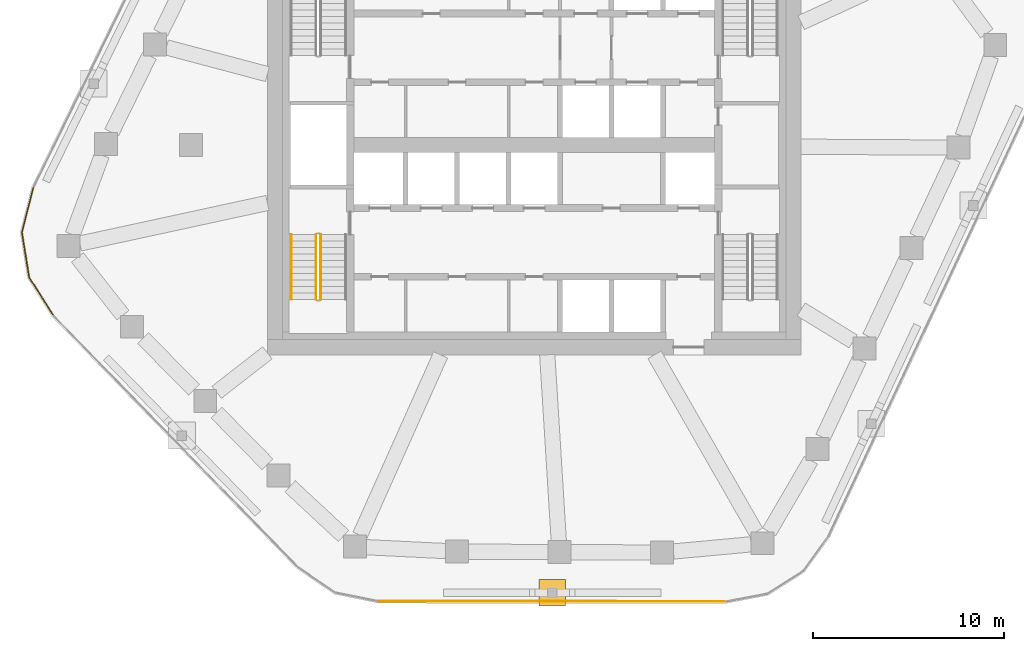
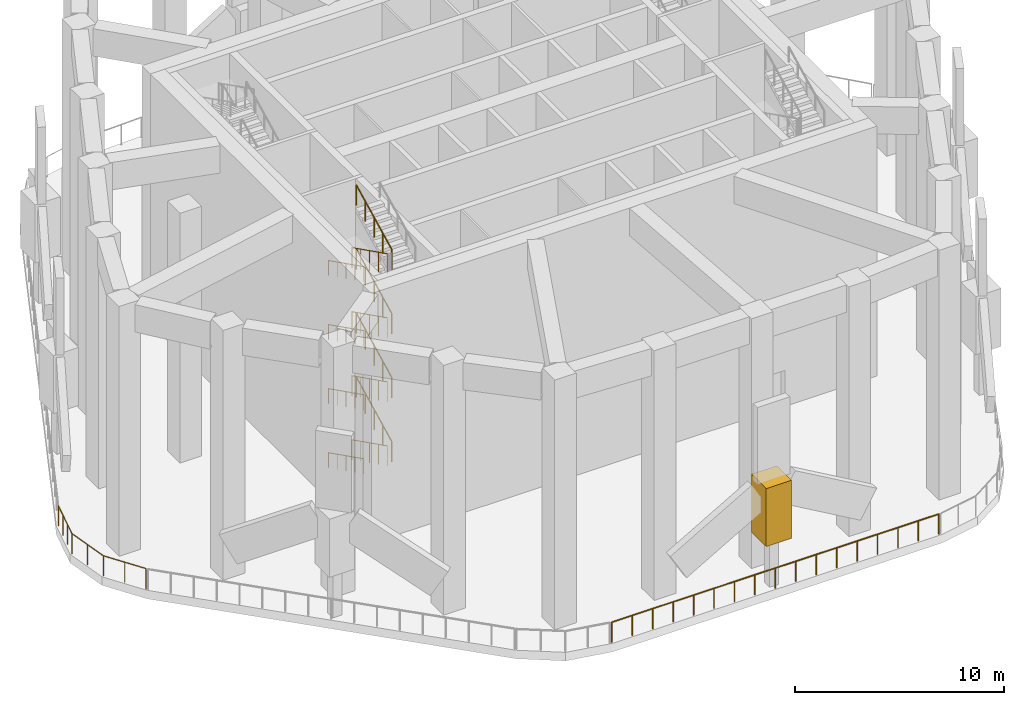
# One storey, part 7 of 12: 14 railings, 1 covering.
"""IFC4 building model written with IfcOpenShell, lengths in metres."""

import ifcopenshell
import ifcopenshell.guid

model = None  # the IFC model being written
_history = None  # IfcOwnerHistory: only IFC2X3 demands one
_inside = {}  # id of a spatial element -> (the spatial element, [elements in it])
_under = {}  # id of a project, library or spatial element -> (it, [spatial elements below it])
_declared = {}  # id of a project -> (the project, [libraries it declares])
_typed = {}  # id of a type object -> (the type object, [elements of that type])
_made_of = {}  # id of a material, layer set ... -> (it, [elements and type objects made of it])


def new_model(schema):
    """Start an empty IFC model of exactly this schema.

    Asked for "IFC4X3", IfcOpenShell would pick the latest addendum, in which some entities
    have other attributes; the version numbers below select the first issue.
    IFC2X3 requires an IfcOwnerHistory on every rooted entity: one is made here for all.
    """
    global model, _history
    if schema == "IFC4X3":
        model = ifcopenshell.file(schema_version=(4, 3, 0, 0))
    else:
        model = ifcopenshell.file(schema=schema)
    _inside.clear()
    _under.clear()
    _declared.clear()
    _typed.clear()
    _made_of.clear()
    _history = None
    if model.schema == "IFC2X3":
        org = make("IfcOrganization", Name="unknown")
        user = make(
            "IfcPersonAndOrganization",
            ThePerson=make("IfcPerson", FamilyName="unknown"),
            TheOrganization=org,
        )
        app = make(
            "IfcApplication",
            ApplicationDeveloper=org,
            Version="unknown",
            ApplicationFullName="unknown",
            ApplicationIdentifier="unknown",
        )
        _history = make(
            "IfcOwnerHistory",
            OwningUser=user,
            OwningApplication=app,
            ChangeAction="ADDED",
            CreationDate=0,
        )
    return model


def make(cls, **values):
    """One entity of the class cls with the attributes given. An attribute that is None is left unset."""
    return model.create_entity(
        cls, **{name: value for name, value in values.items() if value is not None}
    )


def rooted(cls, **values):
    """An entity with a GlobalId (a new one), such as an element, a storey or a relation."""
    return make(cls, GlobalId=ifcopenshell.guid.new(), OwnerHistory=_history, **values)


def si_unit(unit_type, name, prefix=None):
    """IfcSIUnit, for example si_unit("LENGTHUNIT", "METRE", prefix="MILLI")."""
    return make("IfcSIUnit", UnitType=unit_type, Prefix=prefix, Name=name)


def assignment(units):
    """IfcUnitAssignment: the units of a project."""
    return None if units is None else make("IfcUnitAssignment", Units=units)


def point(xyz):
    """IfcCartesianPoint."""
    return None if xyz is None else make("IfcCartesianPoint", Coordinates=xyz)


def direction(xyz):
    """IfcDirection."""
    return None if xyz is None else make("IfcDirection", DirectionRatios=xyz)


def frame(location, z_axis=None, x_axis=None):
    """IfcAxis2Placement3D, a coordinate frame: its origin and axes. An axis left out is left unset."""
    return make(
        "IfcAxis2Placement3D",
        Location=point(location),
        Axis=direction(z_axis),
        RefDirection=direction(x_axis),
    )


def frame_2d(location, x_axis=None):
    """IfcAxis2Placement2D, a coordinate frame in the plane: its origin and x axis."""
    return make(
        "IfcAxis2Placement2D", Location=point(location), RefDirection=direction(x_axis)
    )


def origin():
    """The frame at (0, 0, 0) with its axes left unset."""
    return frame((0.0, 0.0, 0.0))


def origin_2d():
    """The frame at (0, 0) in the plane with its x axis left unset."""
    return frame_2d((0.0, 0.0))


def place(relative_to, where):
    """IfcLocalPlacement: puts the frame where relative to a parent placement (None: the world)."""
    return make(
        "IfcLocalPlacement", PlacementRelTo=relative_to, RelativePlacement=where
    )


def context(
    kind, dimensions, precision=None, world=None, true_north=None, identifier=None
):
    """IfcGeometricRepresentationContext, for example the 3D "Model" context."""
    return make(
        "IfcGeometricRepresentationContext",
        ContextIdentifier=identifier,
        ContextType=kind,
        CoordinateSpaceDimension=dimensions,
        Precision=precision,
        WorldCoordinateSystem=world,
        TrueNorth=true_north,
    )


def subcontext(parent, identifier, kind, view, scale=None):
    """IfcGeometricRepresentationSubContext, for example "Body" below "Model"."""
    return make(
        "IfcGeometricRepresentationSubContext",
        ContextIdentifier=identifier,
        ContextType=kind,
        ParentContext=parent,
        TargetScale=scale,
        TargetView=view,
    )


def project(units=None, contexts=None):
    """IfcProject with its units and contexts."""
    return rooted(
        "IfcProject",
        Name="project",
        RepresentationContexts=contexts,
        UnitsInContext=assignment(units),
    )


def spatial(cls, under=None, at=None, **own):
    """A site, building, storey or space (cls), placed at a placement, below another one or the project."""
    s = rooted(cls, ObjectPlacement=at, **own)
    if under is not None:
        _under.setdefault(under.id(), (under, []))[1].append(s)
    return s


def profile(cls, at=None, kind="AREA", **sizes):
    """A parametric profile (cls). Its sizes go by their IFC names, for example OverallWidth=200.0."""
    return make(cls, ProfileType=kind, Position=at, **sizes)


def rectangle(**sizes):
    """IfcRectangleProfileDef."""
    return profile("IfcRectangleProfileDef", **sizes)


def circle(**sizes):
    """IfcCircleProfileDef."""
    return profile("IfcCircleProfileDef", **sizes)


def extrude(swept, where, along, depth):
    """IfcExtrudedAreaSolid: the profile swept, set in the frame where, extruded along a direction by depth."""
    return make(
        "IfcExtrudedAreaSolid",
        SweptArea=swept,
        Position=where,
        ExtrudedDirection=direction(along),
        Depth=depth,
    )


def shape(context_of_items, identifier, shape_type, items):
    """IfcShapeRepresentation: the items that make up one representation, for example the "Body"."""
    return make(
        "IfcShapeRepresentation",
        ContextOfItems=context_of_items,
        RepresentationIdentifier=identifier,
        RepresentationType=shape_type,
        Items=items,
    )


def material(Name=None, Category=None):
    """IfcMaterial."""
    return make("IfcMaterial", Name=Name, Category=Category)


def material_profile(
    of_material, cross_section, Name=None, Category=None, Priority=None
):
    """IfcMaterialProfile: a cross section and its material."""
    return make(
        "IfcMaterialProfile",
        Name=Name,
        Material=of_material,
        Profile=cross_section,
        Priority=Priority,
        Category=Category,
    )


def profile_set(profiles, Name=None, composite=None):
    """IfcMaterialProfileSet."""
    return make(
        "IfcMaterialProfileSet",
        Name=Name,
        MaterialProfiles=profiles,
        CompositeProfile=composite,
    )


def made_of(thing, what):
    """Note that an element or type object is made of a material, layer set ...; save() writes the relation."""
    if what is not None:
        _made_of.setdefault(what.id(), (what, []))[1].append(thing)
    return thing


def type_object(cls, material=None, **own):
    """A type object (cls), such as IfcWallType, which elements share."""
    return made_of(rooted(cls, **own), material)


def element(
    cls,
    number,
    at=None,
    inside=None,
    cuts=None,
    type_object=None,
    material=None,
    context=None,
    identifier="Body",
    shape_type=None,
    held_by="IfcProductDefinitionShape",
    body=None,
    shapes=None,
    **own,
):
    """One element of the class cls, such as IfcWall. Its Tag is "e" and its number.

    at: its placement. inside: the storey or other place that contains it. cuts: it is an
    opening in that element (IfcRelVoidsElement). A single representation is given by context,
    identifier, shape_type and body (its items); several are given by shapes. held_by: the class
    of the entity that holds the representations. save() writes the other relations.
    """
    e = rooted(cls, Tag="e%d" % number, ObjectPlacement=at, **own)
    if body is not None:
        shapes = [shape(context, identifier, shape_type, body)]
    if shapes is not None:
        e.Representation = make(held_by, Representations=shapes)
    if inside is not None:
        _inside.setdefault(inside.id(), (inside, []))[1].append(e)
    if cuts is not None:
        rooted(
            "IfcRelVoidsElement", RelatingBuildingElement=cuts, RelatedOpeningElement=e
        )
    if type_object is not None:
        _typed.setdefault(type_object.id(), (type_object, []))[1].append(e)
    return made_of(e, material)


def aggregate(whole, parts):
    """IfcRelAggregates: a whole, such as a stair, and the parts it consists of."""
    return rooted("IfcRelAggregates", RelatingObject=whole, RelatedObjects=parts)


def save(model, path):
    """Write the relations noted so far, then the file.

    IfcRelAggregates (storeys below a building ...), IfcRelContainedInSpatialStructure (elements
    in a storey), IfcRelDefinesByType, IfcRelAssociatesMaterial and IfcRelDeclares: one each for
    every whole, place, type object, material and project.
    """
    for whole, parts in _under.values():
        aggregate(whole, parts)
    for where, things in _inside.values():
        rooted(
            "IfcRelContainedInSpatialStructure",
            RelatedElements=things,
            RelatingStructure=where,
        )
    for kind, things in _typed.values():
        rooted("IfcRelDefinesByType", RelatedObjects=things, RelatingType=kind)
    for what, things in _made_of.values():
        rooted("IfcRelAssociatesMaterial", RelatedObjects=things, RelatingMaterial=what)
    for by, libraries in _declared.values():
        rooted("IfcRelDeclares", RelatingContext=by, RelatedDefinitions=libraries)
    model.write(path)


model = new_model("IFC4")

# Units and contexts
model_context = context("Model", 3, precision=1e-05, world=origin(), true_north=direction((0.0, 1.0)))
body_context = subcontext(model_context, "Body", "Model", "MODEL_VIEW")
ifc_project = project(units=[si_unit("LENGTHUNIT", "METRE"), si_unit("AREAUNIT", "SQUARE_METRE"), si_unit("VOLUMEUNIT", "CUBIC_METRE"), si_unit("PLANEANGLEUNIT", "RADIAN"), si_unit("MASSUNIT", "GRAM", prefix="KILO")], contexts=[model_context])

# Site, building, storey
site_placement = place(None, origin())
site = spatial("IfcSite", under=ifc_project, at=site_placement, CompositionType="ELEMENT")
building_placement = place(site_placement, origin())
building = spatial("IfcBuilding", under=site, at=building_placement, Name="Dongbaek Canopy Tower", CompositionType="ELEMENT")
storey_placement = place(building_placement, frame((0.0, 0.0, 183.800048828125)))
storey = spatial("IfcBuildingStorey", under=building, at=storey_placement, Name="L40", CompositionType="ELEMENT", Elevation=183.800048828125)

# Railings
ifc_material_1 = material(Name="Stainless steel", Category="steel")
railing_type_1 = type_object("IfcRailingType", Name="Slot guard 1200", PredefinedType="GUARDRAIL", material=ifc_material_1)
railing_1_placement = place(storey_placement, frame((-26.279541015625, -2.2431640625, 0.0)))
element("IfcRailing", 1, at=railing_1_placement, inside=storey, type_object=railing_type_1, Name="Slot guard L40 K3", PredefinedType="GUARDRAIL", context=body_context, shape_type="SweptSolid", body=[
    extrude(circle(Radius=0.02392578125, at=origin_2d()), frame((0.0, 0.0, 1.17578125), z_axis=(-0.247717968941, -0.968832187669, 0.0), x_axis=(0.968832187669, -0.247717968941, 0.0)), (0.0, 0.0, 1.0), 2.40380859375),
    extrude(circle(Radius=0.02392578125, at=origin_2d()), frame((-0.595458984375, -2.328857421875, 1.17578125), z_axis=(0.157696102651, -0.987487690662, 0.0), x_axis=(0.987487690662, 0.157696102651, 0.0)), (0.0, 0.0, 1.0), 2.3935546875),
    extrude(circle(Radius=0.02392578125, at=origin_2d()), frame((-0.218017578125, -4.6923828125, 1.17578125), z_axis=(0.53719088826, -0.843460698296, 0.0), x_axis=(0.843460698296, 0.53719088826, 0.0)), (0.0, 0.0, 1.0), 2.3037109375),
    extrude(circle(Radius=0.02099609375, at=origin_2d()), origin(), (0.0, 0.0, 1.0), 1.15185546875),
    extrude(circle(Radius=0.02099609375, at=origin_2d()), frame((-0.198486328125, -0.7763671875, 0.0)), (0.0, 0.0, 1.0), 1.15185546875),
    extrude(circle(Radius=0.02099609375, at=origin_2d()), frame((-0.39697265625, -1.552490234375, 0.0)), (0.0, 0.0, 1.0), 1.15185546875),
    extrude(circle(Radius=0.02099609375, at=origin_2d()), frame((-0.595458984375, -2.328857421875, 0.0)), (0.0, 0.0, 1.0), 1.15185546875),
    extrude(circle(Radius=0.02099609375, at=origin_2d()), frame((-0.40673828125, -3.5107421875, 0.0)), (0.0, 0.0, 1.0), 1.15185546875),
    extrude(circle(Radius=0.02099609375, at=origin_2d()), frame((-0.218017578125, -4.6923828125, 0.0)), (0.0, 0.0, 1.0), 1.15185546875),
    extrude(circle(Radius=0.02099609375, at=origin_2d()), frame((0.40087890625, -5.6640625, 0.0)), (0.0, 0.0, 1.0), 1.15185546875),
    extrude(circle(Radius=0.02099609375, at=origin_2d()), frame((1.01953125, -6.635498046875, 0.0)), (0.0, 0.0, 1.0), 1.15185546875),
])
railing_2_placement = place(storey_placement, frame((-8.1552734375, -23.93017578125, 0.0)))
element("IfcRailing", 2, at=railing_2_placement, inside=storey, type_object=railing_type_1, Name="Slot guard L40 F4", PredefinedType="GUARDRAIL", context=body_context, shape_type="SweptSolid", body=[
    extrude(circle(Radius=0.02392578125, at=origin_2d()), frame((0.0, 0.0, 1.17578125), z_axis=(0.999999831873, -0.000579874218, 0.0), x_axis=(0.000579874218, 0.999999831873, 0.0)), (0.0, 0.0, 1.0), 18.10400390625),
    extrude(circle(Radius=0.02099609375, at=origin_2d()), origin(), (0.0, 0.0, 1.0), 1.15185546875),
    extrude(circle(Radius=0.02099609375, at=origin_2d()), frame((1.131591796875, -0.000732421875, 0.0)), (0.0, 0.0, 1.0), 1.15185546875),
    extrude(circle(Radius=0.02099609375, at=origin_2d()), frame((2.262939453125, -0.001220703125, 0.0)), (0.0, 0.0, 1.0), 1.15185546875),
    extrude(circle(Radius=0.02099609375, at=origin_2d()), frame((3.39453125, -0.001953125, 0.0)), (0.0, 0.0, 1.0), 1.15185546875),
    extrude(circle(Radius=0.02099609375, at=origin_2d()), frame((4.52587890625, -0.002685546875, 0.0)), (0.0, 0.0, 1.0), 1.15185546875),
    extrude(circle(Radius=0.02099609375, at=origin_2d()), frame((5.657470703125, -0.003173828125, 0.0)), (0.0, 0.0, 1.0), 1.15185546875),
    extrude(circle(Radius=0.02099609375, at=origin_2d()), frame((6.7890625, -0.00390625, 0.0)), (0.0, 0.0, 1.0), 1.15185546875),
    extrude(circle(Radius=0.02099609375, at=origin_2d()), frame((7.92041015625, -0.004638671875, 0.0)), (0.0, 0.0, 1.0), 1.15185546875),
    extrude(circle(Radius=0.02099609375, at=origin_2d()), frame((9.052001953125, -0.00537109375, 0.0)), (0.0, 0.0, 1.0), 1.15185546875),
    extrude(circle(Radius=0.02099609375, at=origin_2d()), frame((10.18359375, -0.005859375, 0.0)), (0.0, 0.0, 1.0), 1.15185546875),
    extrude(circle(Radius=0.02099609375, at=origin_2d()), frame((11.31494140625, -0.006591796875, 0.0)), (0.0, 0.0, 1.0), 1.15185546875),
    extrude(circle(Radius=0.02099609375, at=origin_2d()), frame((12.446533203125, -0.00732421875, 0.0)), (0.0, 0.0, 1.0), 1.15185546875),
    extrude(circle(Radius=0.02099609375, at=origin_2d()), frame((13.578125, -0.0078125, 0.0)), (0.0, 0.0, 1.0), 1.15185546875),
    extrude(circle(Radius=0.02099609375, at=origin_2d()), frame((14.70947265625, -0.008544921875, 0.0)), (0.0, 0.0, 1.0), 1.15185546875),
    extrude(circle(Radius=0.02099609375, at=origin_2d()), frame((15.841064453125, -0.00927734375, 0.0)), (0.0, 0.0, 1.0), 1.15185546875),
    extrude(circle(Radius=0.02099609375, at=origin_2d()), frame((16.972412109375, -0.009765625, 0.0)), (0.0, 0.0, 1.0), 1.15185546875),
    extrude(circle(Radius=0.02099609375, at=origin_2d()), frame((18.10400390625, -0.010498046875, 0.0)), (0.0, 0.0, 1.0), 1.15185546875),
])
ifc_material_2 = material(Name="Stainless steel tube and balusters", Category="steel")
railing_type_2 = type_object("IfcRailingType", Name="Stair guard 1200", PredefinedType="GUARDRAIL", material=ifc_material_2)
railing_3_placement = place(storey_placement, frame((-11.449951171875, -4.699951171875, 0.17041015625)))
element("IfcRailing", 3, at=railing_3_placement, inside=storey, type_object=railing_type_2, Name="L40 ST-D stair guard 1", PredefinedType="GUARDRAIL", context=body_context, shape_type="SweptSolid", body=[
    extrude(circle(Radius=0.02392578125, at=origin_2d()), frame((0.0, 0.0, 1.17578125), z_axis=(0.0, -0.893951692422, 0.448163331406), x_axis=(1.0, 0.0, 0.0)), (0.0, 0.0, 1.0), 3.803466796875),
    extrude(circle(Radius=0.02099609375, at=origin_2d()), origin(), (0.0, 0.0, 1.0), 1.15185546875),
    extrude(circle(Radius=0.02099609375, at=origin_2d()), frame((0.0, -0.85009765625, 0.42626953125)), (0.0, 0.0, 1.0), 1.15185546875),
    extrude(circle(Radius=0.02099609375, at=origin_2d()), frame((0.0, -1.7001953125, 0.852294921875)), (0.0, 0.0, 1.0), 1.15185546875),
    extrude(circle(Radius=0.02099609375, at=origin_2d()), frame((0.0, -2.550048828125, 1.2783203125)), (0.0, 0.0, 1.0), 1.15185546875),
    extrude(circle(Radius=0.02099609375, at=origin_2d()), frame((0.0, -3.400146484375, 1.70458984375)), (0.0, 0.0, 1.0), 1.15185546875),
])
railing_4_placement = place(storey_placement, frame((-11.199951171875, -8.10009765625, 2.04541015625)))
element("IfcRailing", 4, at=railing_4_placement, inside=storey, type_object=railing_type_2, Name="L40 ST-D stair guard 3", PredefinedType="GUARDRAIL", context=body_context, shape_type="SweptSolid", body=[
    extrude(circle(Radius=0.02392578125, at=origin_2d()), frame((0.0, 0.0, 1.17578125), z_axis=(0.0, 0.893951692422, 0.448163331406), x_axis=(-1.0, 0.0, 0.0)), (0.0, 0.0, 1.0), 3.803466796875),
    extrude(circle(Radius=0.02099609375, at=origin_2d()), origin(), (0.0, 0.0, 1.0), 1.15185546875),
    extrude(circle(Radius=0.02099609375, at=origin_2d()), frame((0.0, 0.85009765625, 0.42626953125)), (0.0, 0.0, 1.0), 1.15185546875),
    extrude(circle(Radius=0.02099609375, at=origin_2d()), frame((0.0, 1.7001953125, 0.852294921875)), (0.0, 0.0, 1.0), 1.15185546875),
    extrude(circle(Radius=0.02099609375, at=origin_2d()), frame((0.0, 2.550048828125, 1.2783203125)), (0.0, 0.0, 1.0), 1.15185546875),
    extrude(circle(Radius=0.02099609375, at=origin_2d()), frame((0.0, 3.400146484375, 1.70458984375)), (0.0, 0.0, 1.0), 1.15185546875),
])
railing_5_placement = place(storey_placement, frame((-11.449951171875, -4.699951171875, 3.92041015625)))
element("IfcRailing", 5, at=railing_5_placement, inside=storey, type_object=railing_type_2, Name="L40 ST-D stair guard 5", PredefinedType="GUARDRAIL", context=body_context, shape_type="SweptSolid", body=[
    extrude(circle(Radius=0.02392578125, at=origin_2d()), frame((0.0, 0.0, 1.17578125), z_axis=(0.0, -0.893951692422, 0.448163331406), x_axis=(1.0, 0.0, 0.0)), (0.0, 0.0, 1.0), 3.803466796875),
    extrude(circle(Radius=0.02099609375, at=origin_2d()), origin(), (0.0, 0.0, 1.0), 1.15185546875),
    extrude(circle(Radius=0.02099609375, at=origin_2d()), frame((0.0, -0.85009765625, 0.42626953125)), (0.0, 0.0, 1.0), 1.15185546875),
    extrude(circle(Radius=0.02099609375, at=origin_2d()), frame((0.0, -1.7001953125, 0.852294921875)), (0.0, 0.0, 1.0), 1.15185546875),
    extrude(circle(Radius=0.02099609375, at=origin_2d()), frame((0.0, -2.550048828125, 1.2783203125)), (0.0, 0.0, 1.0), 1.15185546875),
    extrude(circle(Radius=0.02099609375, at=origin_2d()), frame((0.0, -3.400146484375, 1.70458984375)), (0.0, 0.0, 1.0), 1.15185546875),
])
railing_6_placement = place(storey_placement, frame((-11.199951171875, -8.10009765625, 5.79541015625)))
element("IfcRailing", 6, at=railing_6_placement, inside=storey, type_object=railing_type_2, Name="L40 ST-D stair guard 7", PredefinedType="GUARDRAIL", context=body_context, shape_type="SweptSolid", body=[
    extrude(circle(Radius=0.02392578125, at=origin_2d()), frame((0.0, 0.0, 1.17578125), z_axis=(0.0, 0.893951692422, 0.448163331406), x_axis=(-1.0, 0.0, 0.0)), (0.0, 0.0, 1.0), 3.803466796875),
    extrude(circle(Radius=0.02099609375, at=origin_2d()), origin(), (0.0, 0.0, 1.0), 1.15185546875),
    extrude(circle(Radius=0.02099609375, at=origin_2d()), frame((0.0, 0.85009765625, 0.42626953125)), (0.0, 0.0, 1.0), 1.15185546875),
    extrude(circle(Radius=0.02099609375, at=origin_2d()), frame((0.0, 1.7001953125, 0.852294921875)), (0.0, 0.0, 1.0), 1.15185546875),
    extrude(circle(Radius=0.02099609375, at=origin_2d()), frame((0.0, 2.550048828125, 1.2783203125)), (0.0, 0.0, 1.0), 1.15185546875),
    extrude(circle(Radius=0.02099609375, at=origin_2d()), frame((0.0, 3.400146484375, 1.70458984375)), (0.0, 0.0, 1.0), 1.15185546875),
])
railing_7_placement = place(storey_placement, frame((-11.449951171875, -4.699951171875, 7.67041015625)))
element("IfcRailing", 7, at=railing_7_placement, inside=storey, type_object=railing_type_2, Name="L40 ST-D stair guard 9", PredefinedType="GUARDRAIL", context=body_context, shape_type="SweptSolid", body=[
    extrude(circle(Radius=0.02392578125, at=origin_2d()), frame((0.0, 0.0, 1.17578125), z_axis=(0.0, -0.893951692422, 0.448163331406), x_axis=(1.0, 0.0, 0.0)), (0.0, 0.0, 1.0), 3.803466796875),
    extrude(circle(Radius=0.02099609375, at=origin_2d()), origin(), (0.0, 0.0, 1.0), 1.15185546875),
    extrude(circle(Radius=0.02099609375, at=origin_2d()), frame((0.0, -0.85009765625, 0.42626953125)), (0.0, 0.0, 1.0), 1.15185546875),
    extrude(circle(Radius=0.02099609375, at=origin_2d()), frame((0.0, -1.7001953125, 0.852294921875)), (0.0, 0.0, 1.0), 1.15185546875),
    extrude(circle(Radius=0.02099609375, at=origin_2d()), frame((0.0, -2.550048828125, 1.2783203125)), (0.0, 0.0, 1.0), 1.15185546875),
    extrude(circle(Radius=0.02099609375, at=origin_2d()), frame((0.0, -3.400146484375, 1.70458984375)), (0.0, 0.0, 1.0), 1.15185546875),
])
railing_8_placement = place(storey_placement, frame((-11.199951171875, -8.10009765625, 9.54541015625)))
element("IfcRailing", 8, at=railing_8_placement, inside=storey, type_object=railing_type_2, Name="L40 ST-D stair guard 11", PredefinedType="GUARDRAIL", context=body_context, shape_type="SweptSolid", body=[
    extrude(circle(Radius=0.02392578125, at=origin_2d()), frame((0.0, 0.0, 1.17578125), z_axis=(0.0, 0.893951692422, 0.448163331406), x_axis=(-1.0, 0.0, 0.0)), (0.0, 0.0, 1.0), 3.803466796875),
    extrude(circle(Radius=0.02099609375, at=origin_2d()), origin(), (0.0, 0.0, 1.0), 1.15185546875),
    extrude(circle(Radius=0.02099609375, at=origin_2d()), frame((0.0, 0.85009765625, 0.42626953125)), (0.0, 0.0, 1.0), 1.15185546875),
    extrude(circle(Radius=0.02099609375, at=origin_2d()), frame((0.0, 1.7001953125, 0.852294921875)), (0.0, 0.0, 1.0), 1.15185546875),
    extrude(circle(Radius=0.02099609375, at=origin_2d()), frame((0.0, 2.550048828125, 1.2783203125)), (0.0, 0.0, 1.0), 1.15185546875),
    extrude(circle(Radius=0.02099609375, at=origin_2d()), frame((0.0, 3.400146484375, 1.70458984375)), (0.0, 0.0, 1.0), 1.15185546875),
])
railing_9_placement = place(storey_placement, frame((-11.449951171875, -4.699951171875, 11.42041015625)))
element("IfcRailing", 9, at=railing_9_placement, inside=storey, type_object=railing_type_2, Name="L40 ST-D stair guard 13", PredefinedType="GUARDRAIL", context=body_context, shape_type="SweptSolid", body=[
    extrude(circle(Radius=0.02392578125, at=origin_2d()), frame((0.0, 0.0, 1.17578125), z_axis=(0.0, -0.893951692422, 0.448163331406), x_axis=(1.0, 0.0, 0.0)), (0.0, 0.0, 1.0), 3.803466796875),
    extrude(circle(Radius=0.02099609375, at=origin_2d()), origin(), (0.0, 0.0, 1.0), 1.15185546875),
    extrude(circle(Radius=0.02099609375, at=origin_2d()), frame((0.0, -0.85009765625, 0.42626953125)), (0.0, 0.0, 1.0), 1.15185546875),
    extrude(circle(Radius=0.02099609375, at=origin_2d()), frame((0.0, -1.7001953125, 0.852294921875)), (0.0, 0.0, 1.0), 1.15185546875),
    extrude(circle(Radius=0.02099609375, at=origin_2d()), frame((0.0, -2.550048828125, 1.2783203125)), (0.0, 0.0, 1.0), 1.15185546875),
    extrude(circle(Radius=0.02099609375, at=origin_2d()), frame((0.0, -3.400146484375, 1.70458984375)), (0.0, 0.0, 1.0), 1.15185546875),
])
railing_10_placement = place(storey_placement, frame((-11.199951171875, -8.10009765625, 13.29541015625)))
element("IfcRailing", 10, at=railing_10_placement, inside=storey, type_object=railing_type_2, Name="L40 ST-D stair guard 15", PredefinedType="GUARDRAIL", context=body_context, shape_type="SweptSolid", body=[
    extrude(circle(Radius=0.02392578125, at=origin_2d()), frame((0.0, 0.0, 1.17578125), z_axis=(0.0, 0.893951692422, 0.448163331406), x_axis=(-1.0, 0.0, 0.0)), (0.0, 0.0, 1.0), 3.803466796875),
    extrude(circle(Radius=0.02099609375, at=origin_2d()), origin(), (0.0, 0.0, 1.0), 1.15185546875),
    extrude(circle(Radius=0.02099609375, at=origin_2d()), frame((0.0, 0.85009765625, 0.42626953125)), (0.0, 0.0, 1.0), 1.15185546875),
    extrude(circle(Radius=0.02099609375, at=origin_2d()), frame((0.0, 1.7001953125, 0.852294921875)), (0.0, 0.0, 1.0), 1.15185546875),
    extrude(circle(Radius=0.02099609375, at=origin_2d()), frame((0.0, 2.550048828125, 1.2783203125)), (0.0, 0.0, 1.0), 1.15185546875),
    extrude(circle(Radius=0.02099609375, at=origin_2d()), frame((0.0, 3.400146484375, 1.70458984375)), (0.0, 0.0, 1.0), 1.15185546875),
])
ifc_material_3 = material(Name="Stainless steel tube", Category="steel")
railing_type_3 = type_object("IfcRailingType", Name="Stair handrail 900", PredefinedType="HANDRAIL", material=ifc_material_3)
for number, where, name in (
    (11, (-12.75, -4.699951171875, 0.17041015625), "L40 ST-D stair handrail 1"),
    (12, (-12.75, -4.699951171875, 3.92041015625), "L40 ST-D stair handrail 3"),
    (13, (-12.75, -4.699951171875, 7.67041015625), "L40 ST-D stair handrail 5"),
    (14, (-12.75, -4.699951171875, 11.42041015625), "L40 ST-D stair handrail 7"),
):
    element("IfcRailing", number, at=place(storey_placement, frame(where)), inside=storey, type_object=railing_type_3, Name=name, PredefinedType="HANDRAIL", context=body_context, shape_type="SweptSolid", body=[
        extrude(circle(Radius=0.02392578125, at=origin_2d()), frame((0.0, 0.0, 0.8759765625), z_axis=(0.0, -0.893951692422, 0.448163331406), x_axis=(1.0, 0.0, 0.0)), (0.0, 0.0, 1.0), 3.803466796875),
        extrude(circle(Radius=0.02099609375, at=origin_2d()), origin(), (0.0, 0.0, 1.0), 0.851806640625),
        extrude(circle(Radius=0.02099609375, at=origin_2d()), frame((0.0, -0.85009765625, 0.42626953125)), (0.0, 0.0, 1.0), 0.851806640625),
        extrude(circle(Radius=0.02099609375, at=origin_2d()), frame((0.0, -1.7001953125, 0.852294921875)), (0.0, 0.0, 1.0), 0.851806640625),
        extrude(circle(Radius=0.02099609375, at=origin_2d()), frame((0.0, -2.550048828125, 1.2783203125)), (0.0, 0.0, 1.0), 0.851806640625),
        extrude(circle(Radius=0.02099609375, at=origin_2d()), frame((0.0, -3.400146484375, 1.70458984375)), (0.0, 0.0, 1.0), 0.851806640625),
    ])

# Covering
ifc_material_4 = material(Name="Aluminium 6063-T6 pale metal turbine rotor", Category="aluminium")
ifc_material_profile = material_profile(ifc_material_4, rectangle(XDim=1.39990234375, YDim=1.39990234375, at=origin_2d()), Name="Turbine hub 1400")
ifc_profile_set = profile_set([ifc_material_profile], Name="Aluminium 6063-T6 pale metal turbine rotor")
covering_type = type_object("IfcCoveringType", Name="Turbine hub 1400", PredefinedType="CLADDING", material=ifc_profile_set)
covering_placement = place(storey_placement, frame((0.946533203125, -23.4853515625, 2.807861328125), z_axis=(0.0, 0.0, 1.0), x_axis=(1.0, 0.0, 0.0)))
element("IfcCovering", 15, at=covering_placement, inside=storey, type_object=covering_type, Name="Turbine 6 hub", PredefinedType="CLADDING", context=body_context, shape_type="SweptSolid", body=[
    extrude(rectangle(XDim=1.39990234375, YDim=1.39990234375, at=origin_2d()), origin(), (0.0, 0.0, 1.0), 3.400146484375),
])

save(model, "model.ifc")
